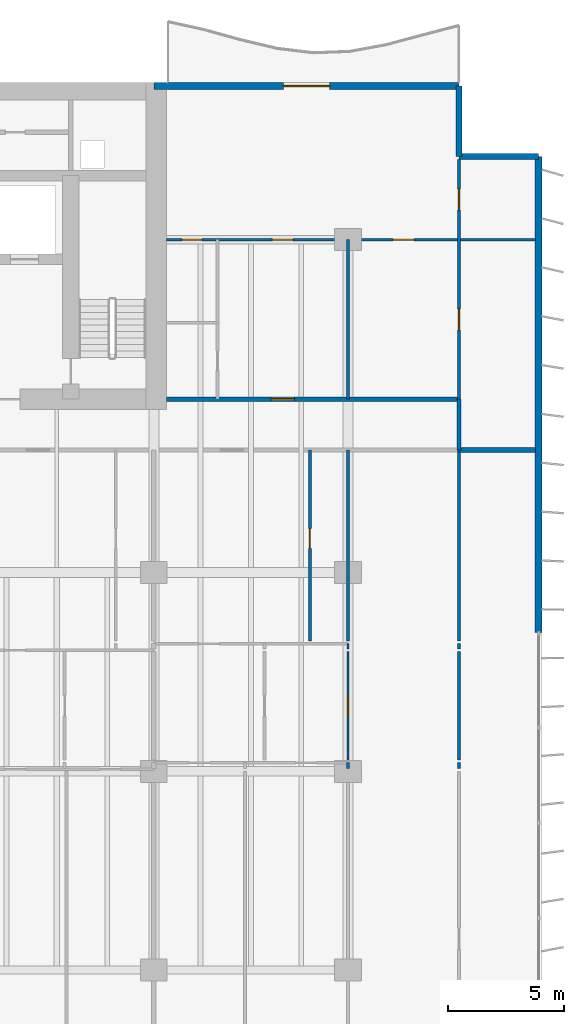
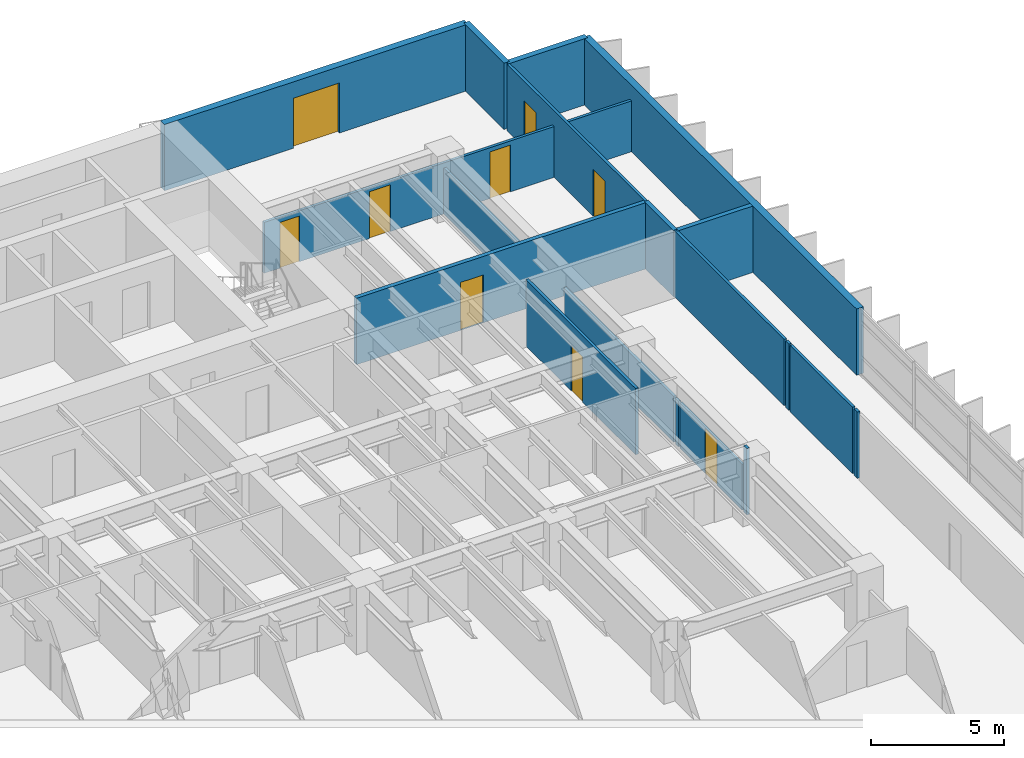
# One storey, part 14 of 19: 19 walls, 9 doors, 9 openings.
"""IFC4 building model written with IfcOpenShell, lengths in metres."""

import ifcopenshell
import ifcopenshell.guid

model = None  # the IFC model being written
_history = None  # IfcOwnerHistory: only IFC2X3 demands one
_inside = {}  # id of a spatial element -> (the spatial element, [elements in it])
_under = {}  # id of a project, library or spatial element -> (it, [spatial elements below it])
_declared = {}  # id of a project -> (the project, [libraries it declares])
_typed = {}  # id of a type object -> (the type object, [elements of that type])
_made_of = {}  # id of a material, layer set ... -> (it, [elements and type objects made of it])


def new_model(schema):
    """Start an empty IFC model of exactly this schema.

    Asked for "IFC4X3", IfcOpenShell would pick the latest addendum, in which some entities
    have other attributes; the version numbers below select the first issue.
    IFC2X3 requires an IfcOwnerHistory on every rooted entity: one is made here for all.
    """
    global model, _history
    if schema == "IFC4X3":
        model = ifcopenshell.file(schema_version=(4, 3, 0, 0))
    else:
        model = ifcopenshell.file(schema=schema)
    _inside.clear()
    _under.clear()
    _declared.clear()
    _typed.clear()
    _made_of.clear()
    _history = None
    if model.schema == "IFC2X3":
        org = make("IfcOrganization", Name="unknown")
        user = make(
            "IfcPersonAndOrganization",
            ThePerson=make("IfcPerson", FamilyName="unknown"),
            TheOrganization=org,
        )
        app = make(
            "IfcApplication",
            ApplicationDeveloper=org,
            Version="unknown",
            ApplicationFullName="unknown",
            ApplicationIdentifier="unknown",
        )
        _history = make(
            "IfcOwnerHistory",
            OwningUser=user,
            OwningApplication=app,
            ChangeAction="ADDED",
            CreationDate=0,
        )
    return model


def make(cls, **values):
    """One entity of the class cls with the attributes given. An attribute that is None is left unset."""
    return model.create_entity(
        cls, **{name: value for name, value in values.items() if value is not None}
    )


def rooted(cls, **values):
    """An entity with a GlobalId (a new one), such as an element, a storey or a relation."""
    return make(cls, GlobalId=ifcopenshell.guid.new(), OwnerHistory=_history, **values)


def si_unit(unit_type, name, prefix=None):
    """IfcSIUnit, for example si_unit("LENGTHUNIT", "METRE", prefix="MILLI")."""
    return make("IfcSIUnit", UnitType=unit_type, Prefix=prefix, Name=name)


def assignment(units):
    """IfcUnitAssignment: the units of a project."""
    return None if units is None else make("IfcUnitAssignment", Units=units)


def point(xyz):
    """IfcCartesianPoint."""
    return None if xyz is None else make("IfcCartesianPoint", Coordinates=xyz)


def direction(xyz):
    """IfcDirection."""
    return None if xyz is None else make("IfcDirection", DirectionRatios=xyz)


def frame(location, z_axis=None, x_axis=None):
    """IfcAxis2Placement3D, a coordinate frame: its origin and axes. An axis left out is left unset."""
    return make(
        "IfcAxis2Placement3D",
        Location=point(location),
        Axis=direction(z_axis),
        RefDirection=direction(x_axis),
    )


def frame_2d(location, x_axis=None):
    """IfcAxis2Placement2D, a coordinate frame in the plane: its origin and x axis."""
    return make(
        "IfcAxis2Placement2D", Location=point(location), RefDirection=direction(x_axis)
    )


def origin():
    """The frame at (0, 0, 0) with its axes left unset."""
    return frame((0.0, 0.0, 0.0))


def place(relative_to, where):
    """IfcLocalPlacement: puts the frame where relative to a parent placement (None: the world)."""
    return make(
        "IfcLocalPlacement", PlacementRelTo=relative_to, RelativePlacement=where
    )


def context(
    kind, dimensions, precision=None, world=None, true_north=None, identifier=None
):
    """IfcGeometricRepresentationContext, for example the 3D "Model" context."""
    return make(
        "IfcGeometricRepresentationContext",
        ContextIdentifier=identifier,
        ContextType=kind,
        CoordinateSpaceDimension=dimensions,
        Precision=precision,
        WorldCoordinateSystem=world,
        TrueNorth=true_north,
    )


def subcontext(parent, identifier, kind, view, scale=None):
    """IfcGeometricRepresentationSubContext, for example "Body" below "Model"."""
    return make(
        "IfcGeometricRepresentationSubContext",
        ContextIdentifier=identifier,
        ContextType=kind,
        ParentContext=parent,
        TargetScale=scale,
        TargetView=view,
    )


def project(units=None, contexts=None):
    """IfcProject with its units and contexts."""
    return rooted(
        "IfcProject",
        Name="project",
        RepresentationContexts=contexts,
        UnitsInContext=assignment(units),
    )


def spatial(cls, under=None, at=None, **own):
    """A site, building, storey or space (cls), placed at a placement, below another one or the project."""
    s = rooted(cls, ObjectPlacement=at, **own)
    if under is not None:
        _under.setdefault(under.id(), (under, []))[1].append(s)
    return s


def profile(cls, at=None, kind="AREA", **sizes):
    """A parametric profile (cls). Its sizes go by their IFC names, for example OverallWidth=200.0."""
    return make(cls, ProfileType=kind, Position=at, **sizes)


def rectangle(**sizes):
    """IfcRectangleProfileDef."""
    return profile("IfcRectangleProfileDef", **sizes)


def extrude(swept, where, along, depth):
    """IfcExtrudedAreaSolid: the profile swept, set in the frame where, extruded along a direction by depth."""
    return make(
        "IfcExtrudedAreaSolid",
        SweptArea=swept,
        Position=where,
        ExtrudedDirection=direction(along),
        Depth=depth,
    )


def shape(context_of_items, identifier, shape_type, items):
    """IfcShapeRepresentation: the items that make up one representation, for example the "Body"."""
    return make(
        "IfcShapeRepresentation",
        ContextOfItems=context_of_items,
        RepresentationIdentifier=identifier,
        RepresentationType=shape_type,
        Items=items,
    )


def material(Name=None, Category=None):
    """IfcMaterial."""
    return make("IfcMaterial", Name=Name, Category=Category)


def layer(
    of_material, thickness, ventilated=None, Name=None, Category=None, Priority=None
):
    """IfcMaterialLayer: one layer of a wall or slab, of a material (None: an air gap)."""
    return make(
        "IfcMaterialLayer",
        Material=of_material,
        LayerThickness=thickness,
        IsVentilated=ventilated,
        Name=Name,
        Category=Category,
        Priority=Priority,
    )


def layer_set(layers, Name=None):
    """IfcMaterialLayerSet."""
    return make("IfcMaterialLayerSet", MaterialLayers=layers, LayerSetName=Name)


def made_of(thing, what):
    """Note that an element or type object is made of a material, layer set ...; save() writes the relation."""
    if what is not None:
        _made_of.setdefault(what.id(), (what, []))[1].append(thing)
    return thing


def type_object(cls, material=None, **own):
    """A type object (cls), such as IfcWallType, which elements share."""
    return made_of(rooted(cls, **own), material)


def element(
    cls,
    number,
    at=None,
    inside=None,
    cuts=None,
    type_object=None,
    material=None,
    context=None,
    identifier="Body",
    shape_type=None,
    held_by="IfcProductDefinitionShape",
    body=None,
    shapes=None,
    **own,
):
    """One element of the class cls, such as IfcWall. Its Tag is "e" and its number.

    at: its placement. inside: the storey or other place that contains it. cuts: it is an
    opening in that element (IfcRelVoidsElement). A single representation is given by context,
    identifier, shape_type and body (its items); several are given by shapes. held_by: the class
    of the entity that holds the representations. save() writes the other relations.
    """
    e = rooted(cls, Tag="e%d" % number, ObjectPlacement=at, **own)
    if body is not None:
        shapes = [shape(context, identifier, shape_type, body)]
    if shapes is not None:
        e.Representation = make(held_by, Representations=shapes)
    if inside is not None:
        _inside.setdefault(inside.id(), (inside, []))[1].append(e)
    if cuts is not None:
        rooted(
            "IfcRelVoidsElement", RelatingBuildingElement=cuts, RelatedOpeningElement=e
        )
    if type_object is not None:
        _typed.setdefault(type_object.id(), (type_object, []))[1].append(e)
    return made_of(e, material)


def fill(opening, filler):
    """IfcRelFillsElement: the door or window that sits in an opening."""
    return rooted(
        "IfcRelFillsElement",
        RelatingOpeningElement=opening,
        RelatedBuildingElement=filler,
    )


def aggregate(whole, parts):
    """IfcRelAggregates: a whole, such as a stair, and the parts it consists of."""
    return rooted("IfcRelAggregates", RelatingObject=whole, RelatedObjects=parts)


def save(model, path):
    """Write the relations noted so far, then the file.

    IfcRelAggregates (storeys below a building ...), IfcRelContainedInSpatialStructure (elements
    in a storey), IfcRelDefinesByType, IfcRelAssociatesMaterial and IfcRelDeclares: one each for
    every whole, place, type object, material and project.
    """
    for whole, parts in _under.values():
        aggregate(whole, parts)
    for where, things in _inside.values():
        rooted(
            "IfcRelContainedInSpatialStructure",
            RelatedElements=things,
            RelatingStructure=where,
        )
    for kind, things in _typed.values():
        rooted("IfcRelDefinesByType", RelatedObjects=things, RelatingType=kind)
    for what, things in _made_of.values():
        rooted("IfcRelAssociatesMaterial", RelatedObjects=things, RelatingMaterial=what)
    for by, libraries in _declared.values():
        rooted("IfcRelDeclares", RelatingContext=by, RelatedDefinitions=libraries)
    model.write(path)


model = new_model("IFC4")

# Units and contexts
model_context = context("Model", 3, precision=1e-05, world=origin(), true_north=direction((0.0, 1.0)))
body_context = subcontext(model_context, "Body", "Model", "MODEL_VIEW")
ifc_project = project(units=[si_unit("LENGTHUNIT", "METRE"), si_unit("AREAUNIT", "SQUARE_METRE"), si_unit("VOLUMEUNIT", "CUBIC_METRE"), si_unit("PLANEANGLEUNIT", "RADIAN"), si_unit("MASSUNIT", "GRAM", prefix="KILO")], contexts=[model_context])

# Site, building, storey
site_placement = place(None, origin())
site = spatial("IfcSite", under=ifc_project, at=site_placement, CompositionType="ELEMENT")
building_placement = place(site_placement, origin())
building = spatial("IfcBuilding", under=site, at=building_placement, Name="Caelmar Bay Residences", CompositionType="ELEMENT")
storey_placement = place(building_placement, frame((0.0, 0.0, 66.300048828125)))
storey = spatial("IfcBuildingStorey", under=building, at=storey_placement, Name="L17", CompositionType="ELEMENT", Elevation=66.300048828125)

# Wall
ifc_material_1 = material(Name="Double-stud acoustic fire-rated gypsum partition 180 mm")
ifc_layer_1 = layer(ifc_material_1, 0.179931640625)
ifc_layer_set_1 = layer_set([ifc_layer_1], Name="Double-stud acoustic fire-rated gypsum partition 180 mm")
wall_type_1 = type_object("IfcWallType", Name="W-COR-200", PredefinedType="PARTITIONING", material=ifc_layer_set_1)
wall_1_placement = place(storey_placement, frame((72.699951171875, 34.705078125, 0.0), z_axis=(0.0, 0.0, 1.0), x_axis=(0.0, 1.0, 0.0)))
element("IfcWall", 1, at=wall_1_placement, inside=storey, type_object=wall_type_1, Name="L17 Partition Wall V119", PredefinedType="PARTITIONING", context=body_context, shape_type="SweptSolid", body=[
    extrude(rectangle(XDim=2.19482421875, YDim=0.179931640625, at=frame_2d((1.097412109375, 0.0))), origin(), (0.0, 0.0, 1.0), 3.050048828125),
])

# Wall, opening, door
wall_2_placement = place(storey_placement, frame((60.054931640625, 36.89990234375, 0.0), z_axis=(0.0, 0.0, 1.0), x_axis=(1.0, 0.0, 0.0)))
wall_2 = element("IfcWall", 2, at=wall_2_placement, inside=storey, type_object=wall_type_1, Name="L17 Partition Wall H147", PredefinedType="PARTITIONING", context=body_context, shape_type="SweptSolid", body=[
    extrude(rectangle(XDim=12.64501953125, YDim=0.179931640625, at=frame_2d((6.322509765625, 0.0))), origin(), (0.0, 0.0, 1.0), 3.050048828125),
])
opening_1_placement = place(wall_2_placement, frame((4.52001953125, 0.0, 0.0)))
opening_1 = element("IfcOpeningElement", 3, at=opening_1_placement, cuts=wall_2, Name="Opening D-L17-184", PredefinedType="OPENING", context=body_context, shape_type="SweptSolid", body=[
    extrude(rectangle(XDim=1.0, YDim=2.199951171875, at=frame_2d((0.5, 1.10009765625))), frame((0.0, 0.099853515625, 0.0), z_axis=(0.0, -1.0, 0.0), x_axis=(1.0, 0.0, 0.0)), (0.0, 0.0, 1.0), 0.199951171875),
])
ifc_material_2 = material(Name="Fire-rated steel and walnut architectural door assembly", Category="steel")
ifc_layer_2 = layer(ifc_material_2, 0.050048828125)
ifc_layer_set_2 = layer_set([ifc_layer_2], Name="Fire-rated steel and walnut architectural door assembly")
door_type_1 = type_object("IfcDoorType", Name="D-UNIT-1000", OperationType="NOTDEFINED", PredefinedType="DOOR", material=ifc_layer_set_2)
door_1_placement = place(opening_1_placement, origin())
door_1 = element("IfcDoor", 4, at=door_1_placement, inside=storey, type_object=door_type_1, Name="L17 Residence EA Kitchen Door", OperationType="SINGLE_SWING_LEFT", OverallHeight=2.199951171875, OverallWidth=1.0, PredefinedType="DOOR", context=body_context, shape_type="SweptSolid", body=[
    extrude(rectangle(XDim=1.0, YDim=2.199951171875, at=frame_2d((0.5, 1.10009765625))), frame((0.0, 0.02490234375, 0.0), z_axis=(0.0, -1.0, 0.0), x_axis=(1.0, 0.0, 0.0)), (0.0, 0.0, 1.0), 0.050048828125),
])
fill(opening_1, door_1)

# Walls
ifc_material_3 = material(Name="Precast concrete f'c 40 MPa (6,000 psi)", Category="concrete")
ifc_layer_3 = layer(ifc_material_3, 0.25)
ifc_layer_set_3 = layer_set([ifc_layer_3], Name="Precast concrete f'c 40 MPa (6,000 psi)")
wall_type_2 = type_object("IfcWallType", Name="W-EXT-250", PredefinedType="ELEMENTEDWALL", material=ifc_layer_set_3)
wall_3_placement = place(storey_placement, frame((72.699951171875, 50.449951171875, 0.0), z_axis=(0.0, 0.0, 1.0), x_axis=(0.0, -1.0, 0.0)))
element("IfcWall", 5, at=wall_3_placement, inside=storey, type_object=wall_type_2, Name="L17 NNE-V Notch Wall", PredefinedType="ELEMENTEDWALL", context=body_context, shape_type="SweptSolid", body=[
    extrude(rectangle(XDim=3.050048828125, YDim=0.25, at=frame_2d((1.52490234375, 0.0))), origin(), (0.0, 0.0, 1.0), 3.050048828125),
])
wall_4_placement = place(storey_placement, frame((72.699951171875, 47.39990234375, 0.0), z_axis=(0.0, 0.0, 1.0), x_axis=(1.0, 0.0, 0.0)))
element("IfcWall", 6, at=wall_4_placement, inside=storey, type_object=wall_type_2, Name="L17 NNE-H Notch Wall", PredefinedType="ELEMENTEDWALL", context=body_context, shape_type="SweptSolid", body=[
    extrude(rectangle(XDim=3.449951171875, YDim=0.25, at=frame_2d((1.72509765625, 0.0))), origin(), (0.0, 0.0, 1.0), 3.050048828125),
])
ifc_layer_4 = layer(ifc_material_3, 0.300048828125)
ifc_layer_set_4 = layer_set([ifc_layer_4], Name="Precast concrete f'c 40 MPa (6,000 psi)")
wall_type_3 = type_object("IfcWallType", Name="W-EXT-300", PredefinedType="STANDARD", material=ifc_layer_set_4)
wall_5_placement = place(storey_placement, frame((76.14990234375, 47.39990234375, 0.0), z_axis=(0.0, 0.0, 1.0), x_axis=(0.0, -1.0, 0.0)))
element("IfcWall", 7, at=wall_5_placement, inside=storey, type_object=wall_type_3, Name="L17 East Rear Exterior Wall", PredefinedType="STANDARD", context=body_context, shape_type="SweptSolid", body=[
    extrude(rectangle(XDim=20.599853515625, YDim=0.300048828125, at=frame_2d((10.2998046875, 0.0))), origin(), (0.0, 0.0, 1.0), 3.050048828125),
])

# Wall, opening, door
wall_6_placement = place(storey_placement, frame((59.5, 50.449951171875, 0.0), z_axis=(0.0, 0.0, 1.0), x_axis=(1.0, 0.0, 0.0)))
wall_6 = element("IfcWall", 8, at=wall_6_placement, inside=storey, type_object=wall_type_3, Name="L17 North-East Wing Exterior Wall", PredefinedType="STANDARD", context=body_context, shape_type="SweptSolid", body=[
    extrude(rectangle(XDim=13.199951171875, YDim=0.300048828125, at=frame_2d((6.60009765625, 0.0))), origin(), (0.0, 0.0, 1.0), 3.050048828125),
])
opening_2_placement = place(wall_6_placement, frame((5.60009765625, 0.0, 0.0)))
opening_2 = element("IfcOpeningElement", 9, at=opening_2_placement, cuts=wall_6, Name="Opening L17-BDNE", PredefinedType="OPENING", context=body_context, shape_type="SweptSolid", body=[
    extrude(rectangle(XDim=2.0, YDim=2.300048828125, at=frame_2d((1.0, 1.14990234375))), frame((0.0, 0.159912109375, 0.0), z_axis=(0.0, -1.0, 0.0), x_axis=(1.0, 0.0, 0.0)), (0.0, 0.0, 1.0), 0.320068359375),
])
ifc_material_4 = material(Name="Anodised bronze thermally broken sliding glass door", Category="glass")
ifc_layer_5 = layer(ifc_material_4, 0.050048828125)
ifc_layer_set_5 = layer_set([ifc_layer_5], Name="Anodised bronze thermally broken sliding glass door")
door_type_2 = type_object("IfcDoorType", Name="D-BAL-2000", OperationType="DOUBLE_DOOR_SLIDING", PredefinedType="DOOR", material=ifc_layer_set_5)
door_2_placement = place(opening_2_placement, origin())
door_2 = element("IfcDoor", 10, at=door_2_placement, inside=storey, type_object=door_type_2, Name="L17 North-East Balcony Door", OperationType="DOUBLE_DOOR_SLIDING", OverallHeight=2.300048828125, OverallWidth=2.0, PredefinedType="DOOR", context=body_context, shape_type="SweptSolid", body=[
    extrude(rectangle(XDim=2.0, YDim=2.300048828125, at=frame_2d((1.0, 1.14990234375))), frame((0.0, 0.02490234375, 0.0), z_axis=(0.0, -1.0, 0.0), x_axis=(1.0, 0.0, 0.0)), (0.0, 0.0, 1.0), 0.050048828125),
])
fill(opening_2, door_2)

ifc_material_5 = material(Name="Anodised bronze framed acoustic sliding study partition 100 mm")
ifc_layer_6 = layer(ifc_material_5, 0.10009765625)
ifc_layer_set_6 = layer_set([ifc_layer_6], Name="Anodised bronze framed acoustic sliding study partition 100 mm")
wall_type_4 = type_object("IfcWallType", Name="W-MOV-100", PredefinedType="MOVABLE", material=ifc_layer_set_6)
wall_7_placement = place(storey_placement, frame((67.89990234375, 21.2900390625, 0.0), z_axis=(0.0, 0.0, 1.0), x_axis=(0.0, 1.0, 0.0)))
wall_7 = element("IfcWall", 11, at=wall_7_placement, inside=storey, type_object=wall_type_4, Name="L17 Partition Wall V110", PredefinedType="MOVABLE", context=body_context, shape_type="SweptSolid", body=[
    extrude(rectangle(XDim=4.68994140625, YDim=0.10009765625, at=frame_2d((2.344970703125, 0.0))), origin(), (0.0, 0.0, 1.0), 2.10986328125),
])
opening_3_placement = place(wall_7_placement, frame((1.89501953125, 0.0, 0.0)))
opening_3 = element("IfcOpeningElement", 12, at=opening_3_placement, cuts=wall_7, Name="Opening D-L17-173", PredefinedType="OPENING", context=body_context, shape_type="SweptSolid", body=[
    extrude(rectangle(XDim=0.89990234375, YDim=2.06005859375, at=frame_2d((0.449951171875, 1.030029296875))), frame((0.0, 0.06005859375, 0.0), z_axis=(0.0, -1.0, 0.0), x_axis=(1.0, 0.0, 0.0)), (0.0, 0.0, 1.0), 0.1201171875),
])
ifc_material_6 = material(Name="Solid walnut timber interior door leaf and frame", Category="wood")
ifc_layer_7 = layer(ifc_material_6, 0.050048828125)
ifc_layer_set_7 = layer_set([ifc_layer_7], Name="Solid walnut timber interior door leaf and frame")
door_type_3 = type_object("IfcDoorType", Name="D-ROOM-900", OperationType="NOTDEFINED", PredefinedType="DOOR", material=ifc_layer_set_7)
door_3_placement = place(opening_3_placement, origin())
door_3 = element("IfcDoor", 13, at=door_3_placement, inside=storey, type_object=door_type_3, Name="L17 Residence 07 East Apartment Hall Door", OperationType="SINGLE_SWING_RIGHT", OverallHeight=2.06005859375, OverallWidth=0.89990234375, PredefinedType="DOOR", context=body_context, shape_type="SweptSolid", body=[
    extrude(rectangle(XDim=0.89990234375, YDim=2.06005859375, at=frame_2d((0.449951171875, 1.030029296875))), frame((0.0, 0.02490234375, 0.0), z_axis=(0.0, -1.0, 0.0), x_axis=(1.0, 0.0, 0.0)), (0.0, 0.0, 1.0), 0.050048828125),
])
fill(opening_3, door_3)

# Wall
wall_8_placement = place(storey_placement, frame((67.89990234375, 26.080078125, 0.0), z_axis=(0.0, 0.0, 1.0), x_axis=(0.0, 1.0, 0.0)))
element("IfcWall", 14, at=wall_8_placement, inside=storey, type_object=wall_type_4, Name="L17 Partition Wall V111", PredefinedType="MOVABLE", context=body_context, shape_type="SweptSolid", body=[
    extrude(rectangle(XDim=0.239990234375, YDim=0.10009765625, at=frame_2d((0.1201171875, 0.0))), origin(), (0.0, 0.0, 1.0), 2.10986328125),
])

# Wall, opening, door
ifc_material_7 = material(Name="Acoustic metal-stud gypsum partition 120 mm")
ifc_layer_8 = layer(ifc_material_7, 0.1201171875)
ifc_layer_set_8 = layer_set([ifc_layer_8], Name="Acoustic metal-stud gypsum partition 120 mm")
wall_type_5 = type_object("IfcWallType", Name="W-PRT-120", PredefinedType="PARTITIONING", material=ifc_layer_set_8)
wall_9_placement = place(storey_placement, frame((66.25, 26.43994140625, 0.0), z_axis=(0.0, 0.0, 1.0), x_axis=(0.0, 1.0, 0.0)))
wall_9 = element("IfcWall", 15, at=wall_9_placement, inside=storey, type_object=wall_type_5, Name="L17 Partition Wall V106", PredefinedType="PARTITIONING", context=body_context, shape_type="SweptSolid", body=[
    extrude(rectangle(XDim=8.260009765625, YDim=0.1201171875, at=frame_2d((4.1298828125, 0.0))), origin(), (0.0, 0.0, 1.0), 3.050048828125),
])
opening_4_placement = place(wall_9_placement, frame((4.0048828125, 0.0, 0.0)))
opening_4 = element("IfcOpeningElement", 16, at=opening_4_placement, cuts=wall_9, Name="Opening D-L17-167", PredefinedType="OPENING", context=body_context, shape_type="SweptSolid", body=[
    extrude(rectangle(XDim=0.85009765625, YDim=2.10009765625, at=frame_2d((0.425048828125, 1.050048828125))), frame((0.0, 0.070068359375, 0.0), z_axis=(0.0, -1.0, 0.0), x_axis=(1.0, 0.0, 0.0)), (0.0, 0.0, 1.0), 0.14013671875),
])
ifc_layer_9 = layer(ifc_material_6, 0.050048828125)
ifc_layer_set_9 = layer_set([ifc_layer_9], Name="Solid walnut timber interior door leaf and frame")
door_type_4 = type_object("IfcDoorType", Name="D-BATH-850", OperationType="NOTDEFINED", PredefinedType="DOOR", material=ifc_layer_set_9)
door_4_placement = place(opening_4_placement, origin())
door_4 = element("IfcDoor", 17, at=door_4_placement, inside=storey, type_object=door_type_4, Name="L17 Residence 07 Bathroom Door", OperationType="SINGLE_SWING_RIGHT", OverallHeight=2.10009765625, OverallWidth=0.85009765625, PredefinedType="DOOR", context=body_context, shape_type="SweptSolid", body=[
    extrude(rectangle(XDim=0.85009765625, YDim=2.10009765625, at=frame_2d((0.425048828125, 1.050048828125))), frame((0.0, 0.02490234375, 0.0), z_axis=(0.0, -1.0, 0.0), x_axis=(1.0, 0.0, 0.0)), (0.0, 0.0, 1.0), 0.050048828125),
])
fill(opening_4, door_4)

# Walls
wall_10_placement = place(storey_placement, frame((67.89990234375, 20.929931640625, 0.0), z_axis=(0.0, 0.0, 1.0), x_axis=(0.0, 1.0, 0.0)))
element("IfcWall", 18, at=wall_10_placement, inside=storey, type_object=wall_type_5, Name="L17 Partition Wall V109", PredefinedType="PARTITIONING", context=body_context, shape_type="SweptSolid", body=[
    extrude(rectangle(XDim=0.239990234375, YDim=0.1201171875, at=frame_2d((0.1201171875, 0.0))), origin(), (0.0, 0.0, 1.0), 3.050048828125),
])
wall_11_placement = place(storey_placement, frame((67.89990234375, 26.43994140625, 0.0), z_axis=(0.0, 0.0, 1.0), x_axis=(0.0, 1.0, 0.0)))
element("IfcWall", 19, at=wall_11_placement, inside=storey, type_object=wall_type_5, Name="L17 Partition Wall V112", PredefinedType="PARTITIONING", context=body_context, shape_type="SweptSolid", body=[
    extrude(rectangle(XDim=8.260009765625, YDim=0.1201171875, at=frame_2d((4.1298828125, 0.0))), origin(), (0.0, 0.0, 1.0), 2.10986328125),
])
wall_12_placement = place(storey_placement, frame((67.89990234375, 36.89990234375, 0.0), z_axis=(0.0, 0.0, 1.0), x_axis=(0.0, 1.0, 0.0)))
element("IfcWall", 20, at=wall_12_placement, inside=storey, type_object=wall_type_5, Name="L17 Partition Wall V113", PredefinedType="PARTITIONING", context=body_context, shape_type="SweptSolid", body=[
    extrude(rectangle(XDim=6.900146484375, YDim=0.1201171875, at=frame_2d((3.4501953125, 0.0))), origin(), (0.0, 0.0, 1.0), 2.10986328125),
])
wall_13_placement = place(storey_placement, frame((72.699951171875, 20.929931640625, 0.0), z_axis=(0.0, 0.0, 1.0), x_axis=(0.0, 1.0, 0.0)))
element("IfcWall", 21, at=wall_13_placement, inside=storey, type_object=wall_type_5, Name="L17 Partition Wall V115", PredefinedType="PARTITIONING", context=body_context, shape_type="SweptSolid", body=[
    extrude(rectangle(XDim=0.239990234375, YDim=0.1201171875, at=frame_2d((0.1201171875, 0.0))), origin(), (0.0, 0.0, 1.0), 3.050048828125),
])
wall_14_placement = place(storey_placement, frame((72.699951171875, 21.2900390625, 0.0), z_axis=(0.0, 0.0, 1.0), x_axis=(0.0, 1.0, 0.0)))
element("IfcWall", 22, at=wall_14_placement, inside=storey, type_object=wall_type_5, Name="L17 Partition Wall V116", PredefinedType="PARTITIONING", context=body_context, shape_type="SweptSolid", body=[
    extrude(rectangle(XDim=4.68994140625, YDim=0.1201171875, at=frame_2d((2.344970703125, 0.0))), origin(), (0.0, 0.0, 1.0), 3.050048828125),
])
wall_15_placement = place(storey_placement, frame((72.699951171875, 26.080078125, 0.0), z_axis=(0.0, 0.0, 1.0), x_axis=(0.0, 1.0, 0.0)))
element("IfcWall", 23, at=wall_15_placement, inside=storey, type_object=wall_type_5, Name="L17 Partition Wall V117", PredefinedType="PARTITIONING", context=body_context, shape_type="SweptSolid", body=[
    extrude(rectangle(XDim=0.239990234375, YDim=0.1201171875, at=frame_2d((0.1201171875, 0.0))), origin(), (0.0, 0.0, 1.0), 3.050048828125),
])
wall_16_placement = place(storey_placement, frame((72.699951171875, 26.43994140625, 0.0), z_axis=(0.0, 0.0, 1.0), x_axis=(0.0, 1.0, 0.0)))
element("IfcWall", 24, at=wall_16_placement, inside=storey, type_object=wall_type_5, Name="L17 Partition Wall V118", PredefinedType="PARTITIONING", context=body_context, shape_type="SweptSolid", body=[
    extrude(rectangle(XDim=8.260009765625, YDim=0.1201171875, at=frame_2d((4.1298828125, 0.0))), origin(), (0.0, 0.0, 1.0), 3.050048828125),
])

# Wall, openings, doors
wall_17_placement = place(storey_placement, frame((72.699951171875, 36.905029296875, 0.0), z_axis=(0.0, 0.0, 1.0), x_axis=(0.0, 1.0, 0.0)))
wall_17 = element("IfcWall", 25, at=wall_17_placement, inside=storey, type_object=wall_type_5, Name="L17 Partition Wall V120", PredefinedType="PARTITIONING", context=body_context, shape_type="SweptSolid", body=[
    extrude(rectangle(XDim=10.375, YDim=0.1201171875, at=frame_2d((5.1875, 0.0))), origin(), (0.0, 0.0, 1.0), 3.050048828125),
])
opening_5_placement = place(wall_17_placement, frame((2.99755859375, 0.0, 0.0)))
opening_5 = element("IfcOpeningElement", 26, at=opening_5_placement, cuts=wall_17, Name="Opening D-L17-188", PredefinedType="OPENING", context=body_context, shape_type="SweptSolid", body=[
    extrude(rectangle(XDim=0.89990234375, YDim=2.14990234375, at=frame_2d((0.449951171875, 1.074951171875))), frame((0.0, 0.070068359375, 0.0), z_axis=(0.0, -1.0, 0.0), x_axis=(1.0, 0.0, 0.0)), (0.0, 0.0, 1.0), 0.14013671875),
])
opening_6_placement = place(wall_17_placement, frame((8.18505859375, 0.0, 0.0)))
opening_6 = element("IfcOpeningElement", 27, at=opening_6_placement, cuts=wall_17, Name="Opening D-L17-189", PredefinedType="OPENING", context=body_context, shape_type="SweptSolid", body=[
    extrude(rectangle(XDim=0.89990234375, YDim=2.14990234375, at=frame_2d((0.449951171875, 1.074951171875))), frame((0.0, 0.070068359375, 0.0), z_axis=(0.0, -1.0, 0.0), x_axis=(1.0, 0.0, 0.0)), (0.0, 0.0, 1.0), 0.14013671875),
])
door_5_placement = place(opening_5_placement, origin())
door_5 = element("IfcDoor", 28, at=door_5_placement, inside=storey, type_object=door_type_3, Name="L17 Residence EA Sun Study Door", OperationType="SINGLE_SWING_LEFT", OverallHeight=2.14990234375, OverallWidth=0.89990234375, PredefinedType="DOOR", context=body_context, shape_type="SweptSolid", body=[
    extrude(rectangle(XDim=0.89990234375, YDim=2.14990234375, at=frame_2d((0.449951171875, 1.074951171875))), frame((0.0, 0.02490234375, 0.0), z_axis=(0.0, -1.0, 0.0), x_axis=(1.0, 0.0, 0.0)), (0.0, 0.0, 1.0), 0.050048828125),
])
fill(opening_5, door_5)
door_6_placement = place(opening_6_placement, origin())
door_6 = element("IfcDoor", 29, at=door_6_placement, inside=storey, type_object=door_type_3, Name="L17 Residence EA North Sitting Alcove Door", OperationType="SINGLE_SWING_RIGHT", OverallHeight=2.14990234375, OverallWidth=0.89990234375, PredefinedType="DOOR", context=body_context, shape_type="SweptSolid", body=[
    extrude(rectangle(XDim=0.89990234375, YDim=2.14990234375, at=frame_2d((0.449951171875, 1.074951171875))), frame((0.0, 0.02490234375, 0.0), z_axis=(0.0, -1.0, 0.0), x_axis=(1.0, 0.0, 0.0)), (0.0, 0.0, 1.0), 0.050048828125),
])
fill(opening_6, door_6)

wall_18_placement = place(storey_placement, frame((60.044921875, 43.800048828125, 0.0), z_axis=(0.0, 0.0, 1.0), x_axis=(1.0, 0.0, 0.0)))
wall_18 = element("IfcWall", 30, at=wall_18_placement, inside=storey, type_object=wall_type_5, Name="L17 Partition Wall H151", PredefinedType="PARTITIONING", context=body_context, shape_type="SweptSolid", body=[
    extrude(rectangle(XDim=15.9599609375, YDim=0.1201171875, at=frame_2d((7.97998046875, 0.0))), origin(), (0.0, 0.0, 1.0), 2.3388671875),
])
opening_7_placement = place(wall_18_placement, frame((9.804931640625, 0.0, 0.0)))
opening_7 = element("IfcOpeningElement", 31, at=opening_7_placement, cuts=wall_18, Name="Opening D-L17-183", PredefinedType="OPENING", context=body_context, shape_type="SweptSolid", body=[
    extrude(rectangle(XDim=0.89990234375, YDim=2.14990234375, at=frame_2d((0.449951171875, 1.074951171875))), frame((0.0, 0.070068359375, 0.0), z_axis=(0.0, -1.0, 0.0), x_axis=(1.0, 0.0, 0.0)), (0.0, 0.0, 1.0), 0.14013671875),
])
opening_8_placement = place(wall_18_placement, frame((4.580078125, 0.0, 0.0)))
opening_8 = element("IfcOpeningElement", 32, at=opening_8_placement, cuts=wall_18, Name="Opening D-L17-185", PredefinedType="OPENING", context=body_context, shape_type="SweptSolid", body=[
    extrude(rectangle(XDim=0.89990234375, YDim=2.14990234375, at=frame_2d((0.449951171875, 1.074951171875))), frame((0.0, 0.070068359375, 0.0), z_axis=(0.0, -1.0, 0.0), x_axis=(1.0, 0.0, 0.0)), (0.0, 0.0, 1.0), 0.14013671875),
])
opening_9_placement = place(wall_18_placement, frame((0.677490234375, 0.0, 0.0)))
opening_9 = element("IfcOpeningElement", 33, at=opening_9_placement, cuts=wall_18, Name="Opening D-L17-187", PredefinedType="OPENING", context=body_context, shape_type="SweptSolid", body=[
    extrude(rectangle(XDim=0.85009765625, YDim=2.10009765625, at=frame_2d((0.425048828125, 1.050048828125))), frame((0.0, 0.070068359375, 0.0), z_axis=(0.0, -1.0, 0.0), x_axis=(1.0, 0.0, 0.0)), (0.0, 0.0, 1.0), 0.14013671875),
])
door_7_placement = place(opening_9_placement, origin())
door_7 = element("IfcDoor", 34, at=door_7_placement, inside=storey, type_object=door_type_4, Name="L17 Residence EA Bathroom Door", OperationType="SINGLE_SWING_RIGHT", OverallHeight=2.10009765625, OverallWidth=0.85009765625, PredefinedType="DOOR", context=body_context, shape_type="SweptSolid", body=[
    extrude(rectangle(XDim=0.85009765625, YDim=2.10009765625, at=frame_2d((0.425048828125, 1.050048828125))), frame((0.0, 0.02490234375, 0.0), z_axis=(0.0, -1.0, 0.0), x_axis=(1.0, 0.0, 0.0)), (0.0, 0.0, 1.0), 0.050048828125),
])
fill(opening_9, door_7)
door_8_placement = place(opening_7_placement, origin())
door_8 = element("IfcDoor", 35, at=door_8_placement, inside=storey, type_object=door_type_3, Name="L17 Residence EA Study Door", OperationType="SINGLE_SWING_RIGHT", OverallHeight=2.14990234375, OverallWidth=0.89990234375, PredefinedType="DOOR", context=body_context, shape_type="SweptSolid", body=[
    extrude(rectangle(XDim=0.89990234375, YDim=2.14990234375, at=frame_2d((0.449951171875, 1.074951171875))), frame((0.0, 0.02490234375, 0.0), z_axis=(0.0, -1.0, 0.0), x_axis=(1.0, 0.0, 0.0)), (0.0, 0.0, 1.0), 0.050048828125),
])
fill(opening_7, door_8)
door_9_placement = place(opening_8_placement, origin())
door_9 = element("IfcDoor", 36, at=door_9_placement, inside=storey, type_object=door_type_3, Name="L17 Residence EA Studio Living and Sleeping Room Door", OperationType="SINGLE_SWING_RIGHT", OverallHeight=2.14990234375, OverallWidth=0.89990234375, PredefinedType="DOOR", context=body_context, shape_type="SweptSolid", body=[
    extrude(rectangle(XDim=0.89990234375, YDim=2.14990234375, at=frame_2d((0.449951171875, 1.074951171875))), frame((0.0, 0.02490234375, 0.0), z_axis=(0.0, -1.0, 0.0), x_axis=(1.0, 0.0, 0.0)), (0.0, 0.0, 1.0), 0.050048828125),
])
fill(opening_8, door_9)

# Wall
ifc_material_8 = material(Name="Acoustic twin-stud fire-rated inter-tenancy partition 200 mm")
ifc_layer_10 = layer(ifc_material_8, 0.199951171875)
ifc_layer_set_10 = layer_set([ifc_layer_10], Name="Acoustic twin-stud fire-rated inter-tenancy partition 200 mm")
wall_type_6 = type_object("IfcWallType", Name="W-PTY-200", PredefinedType="PARTITIONING", material=ifc_layer_set_10)
wall_19_placement = place(storey_placement, frame((72.705078125, 34.699951171875, 0.0), z_axis=(0.0, 0.0, 1.0), x_axis=(1.0, 0.0, 0.0)))
element("IfcWall", 37, at=wall_19_placement, inside=storey, type_object=wall_type_6, Name="L17 Partition Wall H145", PredefinedType="PARTITIONING", context=body_context, shape_type="SweptSolid", body=[
    extrude(rectangle(XDim=3.2998046875, YDim=0.199951171875, at=frame_2d((1.64990234375, 0.0))), origin(), (0.0, 0.0, 1.0), 3.050048828125),
])

save(model, "model.ifc")
